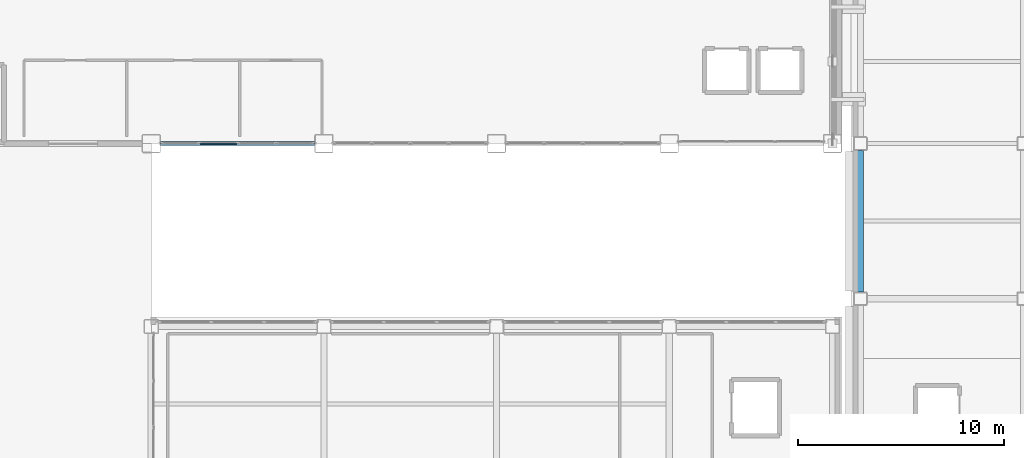
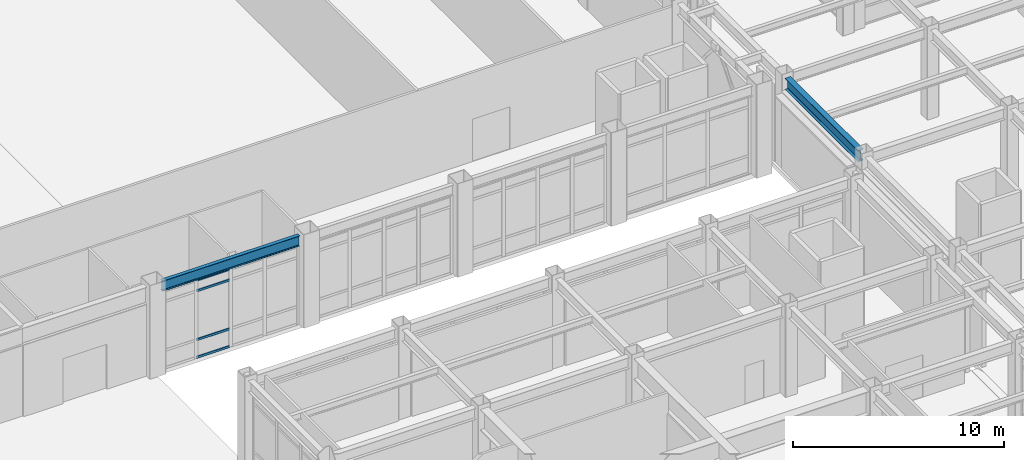
# One storey, part 30 of 165: 4 members, 2 beams, 1 element without a shape of its own.
"""IFC4 building model written with IfcOpenShell, lengths in metres."""

from ifc_helpers import new_model, si_unit, direction, frame, origin, origin_2d, place, context, subcontext, project, spatial, hollow_rectangle, i_section, extrude, material, layer, layer_set, material_profile, profile_set, type_object, element, aggregate, save


model = new_model("IFC4")

# Units and contexts
model_context = context("Model", 3, precision=1e-05, world=origin(), true_north=direction((0.0, 1.0)))
body_context = subcontext(model_context, "Body", "Model", "MODEL_VIEW")
ifc_project = project(units=[si_unit("LENGTHUNIT", "METRE"), si_unit("AREAUNIT", "SQUARE_METRE"), si_unit("VOLUMEUNIT", "CUBIC_METRE"), si_unit("PLANEANGLEUNIT", "RADIAN"), si_unit("MASSUNIT", "GRAM", prefix="KILO")], contexts=[model_context])

# Site, building, storey
site_placement = place(None, origin())
site = spatial("IfcSite", under=ifc_project, at=site_placement, CompositionType="ELEMENT")
building_placement = place(site_placement, origin())
building = spatial("IfcBuilding", under=site, at=building_placement, Name="Kazehara Bluff Congress Hotel", CompositionType="ELEMENT")
storey_placement = place(building_placement, origin())
storey = spatial("IfcBuildingStorey", under=building, at=storey_placement, Name="L00", CompositionType="ELEMENT", Elevation=0.0)

# Curtain wall, members
ifc_material_1 = material(Name="Anodised aluminium", Category="aluminium")
ifc_layer = layer(ifc_material_1, 0.159912109375)
ifc_layer_set = layer_set([ifc_layer], Name="Anodised aluminium")
curtain_wall_type = type_object("IfcCurtainWallType", Name="TP-CW-16", PredefinedType="NOTDEFINED", material=ifc_layer_set)
curtain_wall_placement = place(storey_placement, origin())
curtain_wall = element("IfcCurtainWall", 1, at=curtain_wall_placement, inside=storey, type_object=curtain_wall_type, Name="L00 curtain wall CW-16 CW-V1-L00-Y4845-2565", PredefinedType="NOTDEFINED")
ifc_material_2 = material(Name="Anodised aluminium", Category="aluminium")
ifc_material_profile_1 = material_profile(ifc_material_2, hollow_rectangle(XDim=0.06494140625, YDim=0.139892578125, WallThickness=0.00390625, InnerFilletRadius=0.00390625, OuterFilletRadius=0.008056640625, at=origin_2d()))
ifc_profile_set_1 = profile_set([ifc_material_profile_1], Name="Anodised aluminium")
member_type = type_object("IfcMemberType", Name="TP-CWT-02", PredefinedType="USERDEFINED", material=ifc_profile_set_1)
member_1_placement = place(storey_placement, frame((27.56005859375, 48.449951171875, 0.032470703125), z_axis=(1.0, 0.0, 0.0), x_axis=(0.0, 1.0, 0.0)))
member_1 = element("IfcMember", 2, at=member_1_placement, type_object=member_type, Name="CW-16 transom 2.1", ObjectType="TRANSOM", PredefinedType="USERDEFINED", context=body_context, shape_type="SweptSolid", body=[
    extrude(hollow_rectangle(XDim=0.06494140625, YDim=0.139892578125, WallThickness=0.00390625, InnerFilletRadius=0.00390625, OuterFilletRadius=0.008056640625, at=origin_2d()), origin(), (0.0, 0.0, 1.0), 1.804931640625),
])
member_2_placement = place(storey_placement, frame((27.56005859375, 48.449951171875, 1.050048828125), z_axis=(1.0, 0.0, 0.0), x_axis=(0.0, 1.0, 0.0)))
member_2 = element("IfcMember", 3, at=member_2_placement, type_object=member_type, Name="CW-16 transom 2.2", ObjectType="TRANSOM", PredefinedType="USERDEFINED", context=body_context, shape_type="SweptSolid", body=[
    extrude(hollow_rectangle(XDim=0.06494140625, YDim=0.139892578125, WallThickness=0.00390625, InnerFilletRadius=0.00390625, OuterFilletRadius=0.008056640625, at=origin_2d()), origin(), (0.0, 0.0, 1.0), 1.804931640625),
])
member_3_placement = place(storey_placement, frame((27.56005859375, 48.449951171875, 3.875), z_axis=(1.0, 0.0, 0.0), x_axis=(0.0, 1.0, 0.0)))
member_3 = element("IfcMember", 4, at=member_3_placement, type_object=member_type, Name="CW-16 transom 2.3", ObjectType="TRANSOM", PredefinedType="USERDEFINED", context=body_context, shape_type="SweptSolid", body=[
    extrude(hollow_rectangle(XDim=0.06494140625, YDim=0.139892578125, WallThickness=0.00390625, InnerFilletRadius=0.00390625, OuterFilletRadius=0.008056640625, at=origin_2d()), origin(), (0.0, 0.0, 1.0), 1.804931640625),
])
member_4_placement = place(storey_placement, frame((27.56005859375, 48.449951171875, 4.492431640625), z_axis=(1.0, 0.0, 0.0), x_axis=(0.0, 1.0, 0.0)))
member_4 = element("IfcMember", 5, at=member_4_placement, type_object=member_type, Name="CW-16 transom 2.4", ObjectType="TRANSOM", PredefinedType="USERDEFINED", context=body_context, shape_type="SweptSolid", body=[
    extrude(hollow_rectangle(XDim=0.06494140625, YDim=0.139892578125, WallThickness=0.00390625, InnerFilletRadius=0.00390625, OuterFilletRadius=0.008056640625, at=origin_2d()), origin(), (0.0, 0.0, 1.0), 1.804931640625),
])
aggregate(curtain_wall, [member_1, member_2, member_3, member_4])

# Beams
ifc_material_3 = material(Name="Steel SN490B", Category="steel")
ifc_material_profile_2 = material_profile(ifc_material_3, i_section(OverallWidth=0.300048828125, OverallDepth=0.64990234375, WebThickness=0.011962890625, FlangeThickness=0.02001953125, FilletRadius=0.012939453125, at=origin_2d()))
ifc_profile_set_2 = profile_set([ifc_material_profile_2], Name="Steel SN490B")
beam_type_1 = type_object("IfcBeamType", Name="TP-G-03", PredefinedType="BEAM", material=ifc_profile_set_2)
beam_1_placement = place(storey_placement, frame((59.699951171875, 41.22509765625, 4.824951171875), z_axis=(0.0, 1.0, 0.0), x_axis=(-1.0, 0.0, 0.0)))
element("IfcBeam", 6, at=beam_1_placement, inside=storey, type_object=beam_type_1, Name="L00 girder G-03 151", PredefinedType="BEAM", context=body_context, shape_type="SweptSolid", body=[
    extrude(i_section(OverallWidth=0.300048828125, OverallDepth=0.64990234375, WebThickness=0.011962890625, FlangeThickness=0.02001953125, FilletRadius=0.012939453125, at=origin_2d()), origin(), (0.0, 0.0, 1.0), 6.89990234375),
])
ifc_material_4 = material(Name="Steel SN490B", Category="steel")
ifc_material_profile_3 = material_profile(ifc_material_4, i_section(OverallWidth=0.199951171875, OverallDepth=0.60009765625, WebThickness=0.010986328125, FlangeThickness=0.01708984375, FilletRadius=0.012939453125, at=origin_2d()))
ifc_profile_set_3 = profile_set([ifc_material_profile_3], Name="Steel SN490B")
beam_type_2 = type_object("IfcBeamType", Name="TP-SP-02", PredefinedType="SPANDREL", material=ifc_profile_set_3)
beam_2_placement = place(storey_placement, frame((25.64990234375, 48.449951171875, 4.85009765625), z_axis=(1.0, 0.0, 0.0), x_axis=(0.0, 1.0, 0.0)))
element("IfcBeam", 7, at=beam_2_placement, inside=storey, type_object=beam_type_2, Name="L00 girder SP-02 27", PredefinedType="SPANDREL", context=body_context, shape_type="SweptSolid", body=[
    extrude(i_section(OverallWidth=0.199951171875, OverallDepth=0.60009765625, WebThickness=0.010986328125, FlangeThickness=0.01708984375, FilletRadius=0.012939453125, at=origin_2d()), origin(), (0.0, 0.0, 1.0), 7.5),
])

save(model, "model.ifc")
